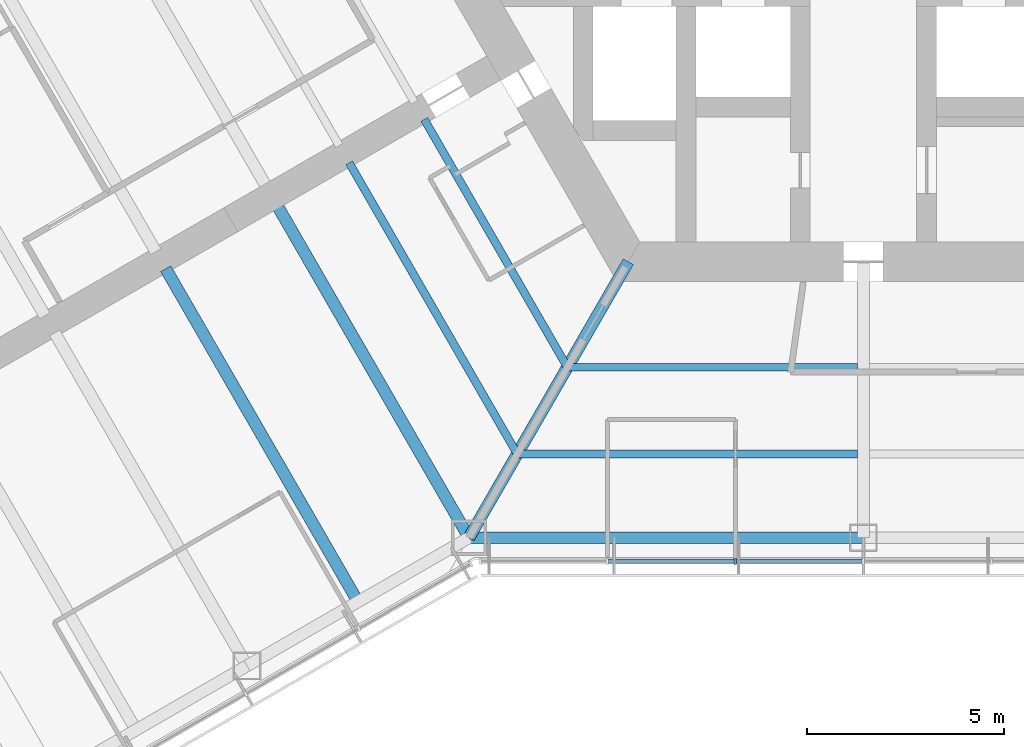
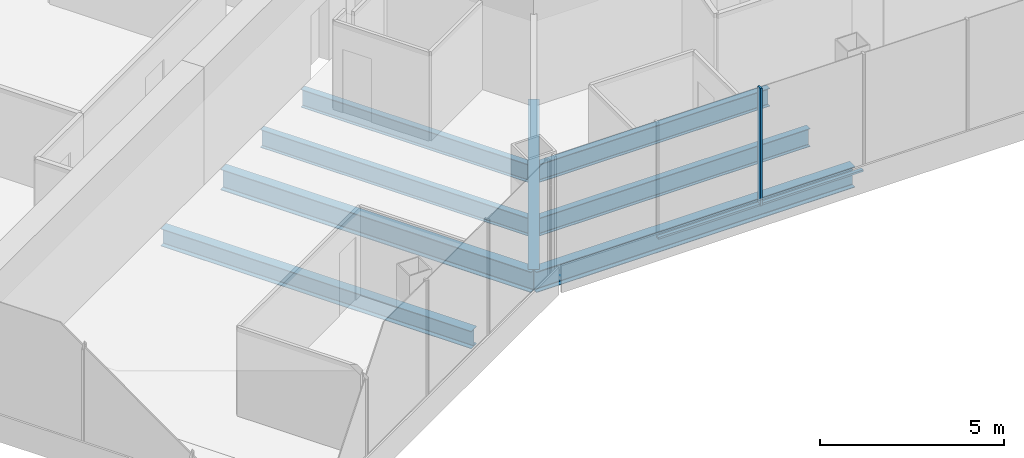
# One storey, part 3 of 18: 8 beams, 3 members, 1 element without a shape of its own.
"""IFC4 building model written with IfcOpenShell, lengths in metres."""

import ifcopenshell
import ifcopenshell.guid

model = None  # the IFC model being written
_history = None  # IfcOwnerHistory: only IFC2X3 demands one
_inside = {}  # id of a spatial element -> (the spatial element, [elements in it])
_under = {}  # id of a project, library or spatial element -> (it, [spatial elements below it])
_declared = {}  # id of a project -> (the project, [libraries it declares])
_typed = {}  # id of a type object -> (the type object, [elements of that type])
_made_of = {}  # id of a material, layer set ... -> (it, [elements and type objects made of it])


def new_model(schema):
    """Start an empty IFC model of exactly this schema.

    Asked for "IFC4X3", IfcOpenShell would pick the latest addendum, in which some entities
    have other attributes; the version numbers below select the first issue.
    IFC2X3 requires an IfcOwnerHistory on every rooted entity: one is made here for all.
    """
    global model, _history
    if schema == "IFC4X3":
        model = ifcopenshell.file(schema_version=(4, 3, 0, 0))
    else:
        model = ifcopenshell.file(schema=schema)
    _inside.clear()
    _under.clear()
    _declared.clear()
    _typed.clear()
    _made_of.clear()
    _history = None
    if model.schema == "IFC2X3":
        org = make("IfcOrganization", Name="unknown")
        user = make(
            "IfcPersonAndOrganization",
            ThePerson=make("IfcPerson", FamilyName="unknown"),
            TheOrganization=org,
        )
        app = make(
            "IfcApplication",
            ApplicationDeveloper=org,
            Version="unknown",
            ApplicationFullName="unknown",
            ApplicationIdentifier="unknown",
        )
        _history = make(
            "IfcOwnerHistory",
            OwningUser=user,
            OwningApplication=app,
            ChangeAction="ADDED",
            CreationDate=0,
        )
    return model


def make(cls, **values):
    """One entity of the class cls with the attributes given. An attribute that is None is left unset."""
    return model.create_entity(
        cls, **{name: value for name, value in values.items() if value is not None}
    )


def rooted(cls, **values):
    """An entity with a GlobalId (a new one), such as an element, a storey or a relation."""
    return make(cls, GlobalId=ifcopenshell.guid.new(), OwnerHistory=_history, **values)


def si_unit(unit_type, name, prefix=None):
    """IfcSIUnit, for example si_unit("LENGTHUNIT", "METRE", prefix="MILLI")."""
    return make("IfcSIUnit", UnitType=unit_type, Prefix=prefix, Name=name)


def assignment(units):
    """IfcUnitAssignment: the units of a project."""
    return None if units is None else make("IfcUnitAssignment", Units=units)


def point(xyz):
    """IfcCartesianPoint."""
    return None if xyz is None else make("IfcCartesianPoint", Coordinates=xyz)


def direction(xyz):
    """IfcDirection."""
    return None if xyz is None else make("IfcDirection", DirectionRatios=xyz)


def frame(location, z_axis=None, x_axis=None):
    """IfcAxis2Placement3D, a coordinate frame: its origin and axes. An axis left out is left unset."""
    return make(
        "IfcAxis2Placement3D",
        Location=point(location),
        Axis=direction(z_axis),
        RefDirection=direction(x_axis),
    )


def frame_2d(location, x_axis=None):
    """IfcAxis2Placement2D, a coordinate frame in the plane: its origin and x axis."""
    return make(
        "IfcAxis2Placement2D", Location=point(location), RefDirection=direction(x_axis)
    )


def origin():
    """The frame at (0, 0, 0) with its axes left unset."""
    return frame((0.0, 0.0, 0.0))


def origin_2d():
    """The frame at (0, 0) in the plane with its x axis left unset."""
    return frame_2d((0.0, 0.0))


def place(relative_to, where):
    """IfcLocalPlacement: puts the frame where relative to a parent placement (None: the world)."""
    return make(
        "IfcLocalPlacement", PlacementRelTo=relative_to, RelativePlacement=where
    )


def context(
    kind, dimensions, precision=None, world=None, true_north=None, identifier=None
):
    """IfcGeometricRepresentationContext, for example the 3D "Model" context."""
    return make(
        "IfcGeometricRepresentationContext",
        ContextIdentifier=identifier,
        ContextType=kind,
        CoordinateSpaceDimension=dimensions,
        Precision=precision,
        WorldCoordinateSystem=world,
        TrueNorth=true_north,
    )


def subcontext(parent, identifier, kind, view, scale=None):
    """IfcGeometricRepresentationSubContext, for example "Body" below "Model"."""
    return make(
        "IfcGeometricRepresentationSubContext",
        ContextIdentifier=identifier,
        ContextType=kind,
        ParentContext=parent,
        TargetScale=scale,
        TargetView=view,
    )


def project(units=None, contexts=None):
    """IfcProject with its units and contexts."""
    return rooted(
        "IfcProject",
        Name="project",
        RepresentationContexts=contexts,
        UnitsInContext=assignment(units),
    )


def spatial(cls, under=None, at=None, **own):
    """A site, building, storey or space (cls), placed at a placement, below another one or the project."""
    s = rooted(cls, ObjectPlacement=at, **own)
    if under is not None:
        _under.setdefault(under.id(), (under, []))[1].append(s)
    return s


def profile(cls, at=None, kind="AREA", **sizes):
    """A parametric profile (cls). Its sizes go by their IFC names, for example OverallWidth=200.0."""
    return make(cls, ProfileType=kind, Position=at, **sizes)


def rectangle(**sizes):
    """IfcRectangleProfileDef."""
    return profile("IfcRectangleProfileDef", **sizes)


def i_section(**sizes):
    """IfcIShapeProfileDef."""
    return profile("IfcIShapeProfileDef", **sizes)


def extrude(swept, where, along, depth):
    """IfcExtrudedAreaSolid: the profile swept, set in the frame where, extruded along a direction by depth."""
    return make(
        "IfcExtrudedAreaSolid",
        SweptArea=swept,
        Position=where,
        ExtrudedDirection=direction(along),
        Depth=depth,
    )


def shape(context_of_items, identifier, shape_type, items):
    """IfcShapeRepresentation: the items that make up one representation, for example the "Body"."""
    return make(
        "IfcShapeRepresentation",
        ContextOfItems=context_of_items,
        RepresentationIdentifier=identifier,
        RepresentationType=shape_type,
        Items=items,
    )


def material(Name=None, Category=None):
    """IfcMaterial."""
    return make("IfcMaterial", Name=Name, Category=Category)


def material_profile(
    of_material, cross_section, Name=None, Category=None, Priority=None
):
    """IfcMaterialProfile: a cross section and its material."""
    return make(
        "IfcMaterialProfile",
        Name=Name,
        Material=of_material,
        Profile=cross_section,
        Priority=Priority,
        Category=Category,
    )


def profile_set(profiles, Name=None, composite=None):
    """IfcMaterialProfileSet."""
    return make(
        "IfcMaterialProfileSet",
        Name=Name,
        MaterialProfiles=profiles,
        CompositeProfile=composite,
    )


def made_of(thing, what):
    """Note that an element or type object is made of a material, layer set ...; save() writes the relation."""
    if what is not None:
        _made_of.setdefault(what.id(), (what, []))[1].append(thing)
    return thing


def type_object(cls, material=None, **own):
    """A type object (cls), such as IfcWallType, which elements share."""
    return made_of(rooted(cls, **own), material)


def element(
    cls,
    number,
    at=None,
    inside=None,
    cuts=None,
    type_object=None,
    material=None,
    context=None,
    identifier="Body",
    shape_type=None,
    held_by="IfcProductDefinitionShape",
    body=None,
    shapes=None,
    **own,
):
    """One element of the class cls, such as IfcWall. Its Tag is "e" and its number.

    at: its placement. inside: the storey or other place that contains it. cuts: it is an
    opening in that element (IfcRelVoidsElement). A single representation is given by context,
    identifier, shape_type and body (its items); several are given by shapes. held_by: the class
    of the entity that holds the representations. save() writes the other relations.
    """
    e = rooted(cls, Tag="e%d" % number, ObjectPlacement=at, **own)
    if body is not None:
        shapes = [shape(context, identifier, shape_type, body)]
    if shapes is not None:
        e.Representation = make(held_by, Representations=shapes)
    if inside is not None:
        _inside.setdefault(inside.id(), (inside, []))[1].append(e)
    if cuts is not None:
        rooted(
            "IfcRelVoidsElement", RelatingBuildingElement=cuts, RelatedOpeningElement=e
        )
    if type_object is not None:
        _typed.setdefault(type_object.id(), (type_object, []))[1].append(e)
    return made_of(e, material)


def aggregate(whole, parts):
    """IfcRelAggregates: a whole, such as a stair, and the parts it consists of."""
    return rooted("IfcRelAggregates", RelatingObject=whole, RelatedObjects=parts)


def save(model, path):
    """Write the relations noted so far, then the file.

    IfcRelAggregates (storeys below a building ...), IfcRelContainedInSpatialStructure (elements
    in a storey), IfcRelDefinesByType, IfcRelAssociatesMaterial and IfcRelDeclares: one each for
    every whole, place, type object, material and project.
    """
    for whole, parts in _under.values():
        aggregate(whole, parts)
    for where, things in _inside.values():
        rooted(
            "IfcRelContainedInSpatialStructure",
            RelatedElements=things,
            RelatingStructure=where,
        )
    for kind, things in _typed.values():
        rooted("IfcRelDefinesByType", RelatedObjects=things, RelatingType=kind)
    for what, things in _made_of.values():
        rooted("IfcRelAssociatesMaterial", RelatedObjects=things, RelatingMaterial=what)
    for by, libraries in _declared.values():
        rooted("IfcRelDeclares", RelatingContext=by, RelatedDefinitions=libraries)
    model.write(path)


model = new_model("IFC4")

# Units and contexts
model_context = context("Model", 3, precision=1e-05, world=origin(), true_north=direction((0.0, 1.0)))
body_context = subcontext(model_context, "Body", "Model", "MODEL_VIEW")
ifc_project = project(units=[si_unit("LENGTHUNIT", "METRE"), si_unit("AREAUNIT", "SQUARE_METRE"), si_unit("VOLUMEUNIT", "CUBIC_METRE"), si_unit("PLANEANGLEUNIT", "RADIAN"), si_unit("MASSUNIT", "GRAM", prefix="KILO")], contexts=[model_context])

# Site, building, storey
site_placement = place(None, origin())
site = spatial("IfcSite", under=ifc_project, at=site_placement, CompositionType="ELEMENT")
building_placement = place(site_placement, origin())
building = spatial("IfcBuilding", under=site, at=building_placement, Name="Kasaneha Research Tower", CompositionType="ELEMENT")
storey_placement = place(building_placement, frame((0.0, 0.0, 133.10009765625)))
storey = spatial("IfcBuildingStorey", under=building, at=storey_placement, Name="L33", CompositionType="ELEMENT", Elevation=133.10009765625)

# Beams
ifc_material_1 = material(Name="Steel SN490B", Category="steel")
ifc_material_profile_1 = material_profile(ifc_material_1, i_section(OverallWidth=0.199951171875, OverallDepth=0.60009765625, WebThickness=0.010986328125, FlangeThickness=0.01708984375, FilletRadius=0.012939453125, at=origin_2d()), Name="H-600x200x11x17")
ifc_profile_set_1 = profile_set([ifc_material_profile_1], Name="Steel SN490B")
beam_type_1 = type_object("IfcBeamType", Name="B1-3 secondary beam H-600x200x11x17", PredefinedType="JOIST", material=ifc_profile_set_1)
beam_1_placement = place(storey_placement, frame((-7.505615234375, -13.0, -0.4501953125), z_axis=(-0.499993340521, 0.866029248602, 0.0), x_axis=(-0.866029248602, -0.499993340521, 0.0)))
element("IfcBeam", 1, at=beam_1_placement, inside=storey, type_object=beam_type_1, Name="Secondary beam RS210R1 L33", PredefinedType="JOIST", context=body_context, shape_type="SweptSolid", body=[
    extrude(i_section(OverallWidth=0.199951171875, OverallDepth=0.60009765625, WebThickness=0.010986328125, FlangeThickness=0.01708984375, FilletRadius=0.012939453125, at=origin_2d()), origin(), (0.0, 0.0, 1.0), 7.25537109375),
])
beam_2_placement = place(storey_placement, frame((-8.775634765625, -15.199951171875, -0.4501953125), z_axis=(-0.500004205306, 0.866022975836, 0.0), x_axis=(-0.866022975836, -0.500004205306, 0.0)))
element("IfcBeam", 2, at=beam_2_placement, inside=storey, type_object=beam_type_1, Name="Secondary beam RS210R2 L33", PredefinedType="JOIST", context=body_context, shape_type="SweptSolid", body=[
    extrude(i_section(OverallWidth=0.199951171875, OverallDepth=0.60009765625, WebThickness=0.010986328125, FlangeThickness=0.01708984375, FilletRadius=0.012939453125, at=origin_2d()), origin(), (0.0, 0.0, 1.0), 8.52587890625),
])
beam_3_placement = place(storey_placement, frame((-7.505615234375, -13.0, -0.4501953125), z_axis=(1.0, 0.0, 0.0), x_axis=(0.0, 1.0, 0.0)))
element("IfcBeam", 3, at=beam_3_placement, inside=storey, type_object=beam_type_1, Name="Secondary beam RS270L1 L33", PredefinedType="JOIST", context=body_context, shape_type="SweptSolid", body=[
    extrude(i_section(OverallWidth=0.199951171875, OverallDepth=0.60009765625, WebThickness=0.010986328125, FlangeThickness=0.01708984375, FilletRadius=0.012939453125, at=origin_2d()), origin(), (0.0, 0.0, 1.0), 7.355712890625),
])
beam_4_placement = place(storey_placement, frame((-8.775634765625, -15.199951171875, -0.4501953125), z_axis=(1.0, 0.0, 0.0), x_axis=(0.0, 1.0, 0.0)))
element("IfcBeam", 4, at=beam_4_placement, inside=storey, type_object=beam_type_1, Name="Secondary beam RS270L2 L33", PredefinedType="JOIST", context=body_context, shape_type="SweptSolid", body=[
    extrude(i_section(OverallWidth=0.199951171875, OverallDepth=0.60009765625, WebThickness=0.010986328125, FlangeThickness=0.01708984375, FilletRadius=0.012939453125, at=origin_2d()), origin(), (0.0, 0.0, 1.0), 8.625732421875),
])
ifc_material_2 = material(Name="Steel SN490B", Category="steel")
ifc_material_profile_2 = material_profile(ifc_material_2, i_section(OverallWidth=0.300048828125, OverallDepth=0.58203125, WebThickness=0.011962890625, FlangeThickness=0.01708984375, FilletRadius=0.012939453125, at=origin_2d()), Name="H-582x300x12x17")
ifc_profile_set_2 = profile_set([ifc_material_profile_2], Name="Steel SN490B")
beam_type_2 = type_object("IfcBeamType", Name="B2-3 secondary beam H-582x300x12x17", PredefinedType="JOIST", material=ifc_profile_set_2)
beam_5_placement = place(storey_placement, frame((-12.814697265625, -18.945556640625, -0.441162109375), z_axis=(-0.499995560238, 0.866027967067, 0.0), x_axis=(-0.866027967067, -0.499995560238, 0.0)))
element("IfcBeam", 5, at=beam_5_placement, inside=storey, type_object=beam_type_2, Name="Secondary beam WBBN1 L33", PredefinedType="JOIST", context=body_context, shape_type="SweptSolid", body=[
    extrude(i_section(OverallWidth=0.300048828125, OverallDepth=0.58203125, WebThickness=0.011962890625, FlangeThickness=0.01708984375, FilletRadius=0.012939453125, at=origin_2d()), origin(), (0.0, 0.0, 1.0), 9.75),
])

# Curtain wall, members
ifc_material_3 = material(Name="Glass and aluminium", Category="aluminium")
curtain_wall_type = type_object("IfcCurtainWallType", Name="Mid-rise office curtain wall", PredefinedType="USERDEFINED", material=ifc_material_3)
curtain_wall_placement = place(storey_placement, origin())
curtain_wall = element("IfcCurtainWall", 6, at=curtain_wall_placement, inside=storey, type_object=curtain_wall_type, Name="CW-O2 L33 run 01a", ObjectType="UNITISED CURTAIN WALL", PredefinedType="USERDEFINED")
ifc_material_4 = material(Name="Aluminium 6063-T6", Category="aluminium")
ifc_material_profile_3 = material_profile(ifc_material_4, rectangle(XDim=0.06005859375, YDim=0.14990234375, at=origin_2d()), Name="CW-O2 mullion 60x150")
ifc_profile_set_3 = profile_set([ifc_material_profile_3], Name="Aluminium 6063-T6")
member_type_1 = type_object("IfcMemberType", Name="CW-O2 mullion", PredefinedType="MULLION", material=ifc_profile_set_3)
member_1_placement = place(storey_placement, frame((-3.246337890625, -17.92041015625, 0.0), z_axis=(0.0, 0.0, 1.0), x_axis=(1.0, 0.0, 0.0)))
member_1 = element("IfcMember", 7, at=member_1_placement, type_object=member_type_1, Name="CW-O2 mullion 3", PredefinedType="MULLION", context=body_context, shape_type="SweptSolid", body=[
    extrude(rectangle(XDim=0.06005859375, YDim=0.14990234375, at=origin_2d()), origin(), (0.0, 0.0, 1.0), 3.89990234375),
])
ifc_material_5 = material(Name="Aluminium 6063-T6", Category="aluminium")
ifc_material_profile_4 = material_profile(ifc_material_5, rectangle(XDim=0.110107421875, YDim=0.06005859375, at=origin_2d()), Name="CW-O2 transom 110x60")
ifc_profile_set_4 = profile_set([ifc_material_profile_4], Name="Aluminium 6063-T6")
member_type_2 = type_object("IfcMemberType", Name="CW-O2 transom", PredefinedType="USERDEFINED", material=ifc_profile_set_4)
member_2_placement = place(storey_placement, frame((-6.462890625, -17.92041015625, 0.02978515625), z_axis=(1.0, 0.0, 0.0), x_axis=(0.0, 1.0, 0.0)))
member_2 = element("IfcMember", 8, at=member_2_placement, type_object=member_type_2, Name="CW-O2 transom 2", ObjectType="TRANSOM", PredefinedType="USERDEFINED", context=body_context, shape_type="SweptSolid", body=[
    extrude(rectangle(XDim=0.110107421875, YDim=0.06005859375, at=origin_2d()), origin(), (0.0, 0.0, 1.0), 3.1865234375),
])
member_3_placement = place(storey_placement, frame((-3.21630859375, -17.92041015625, 0.02978515625), z_axis=(1.0, 0.0, 0.0), x_axis=(0.0, 1.0, 0.0)))
member_3 = element("IfcMember", 9, at=member_3_placement, type_object=member_type_2, Name="CW-O2 transom 3", ObjectType="TRANSOM", PredefinedType="USERDEFINED", context=body_context, shape_type="SweptSolid", body=[
    extrude(rectangle(XDim=0.110107421875, YDim=0.06005859375, at=origin_2d()), origin(), (0.0, 0.0, 1.0), 3.186279296875),
])
aggregate(curtain_wall, [member_1, member_2, member_3])

# Beams
ifc_material_6 = material(Name="Steel SN490B", Category="steel")
ifc_material_profile_5 = material_profile(ifc_material_6, i_section(OverallWidth=0.300048828125, OverallDepth=0.699951171875, WebThickness=0.012939453125, FlangeThickness=0.02392578125, FilletRadius=0.01806640625, at=origin_2d()), Name="H-700x300x13x24")
ifc_profile_set_5 = profile_set([ifc_material_profile_5], Name="Steel SN490B")
beam_type_3 = type_object("IfcBeamType", Name="G1-3 radial girder H-700x300x13x24", PredefinedType="BEAM", material=ifc_profile_set_5)
beam_6_placement = place(storey_placement, frame((-5.961181640625, -10.324951171875, -0.5), z_axis=(-0.49999105496, -0.866030568144, 0.0), x_axis=(0.866030568144, -0.49999105496, 0.0)))
element("IfcBeam", 10, at=beam_6_placement, inside=storey, type_object=beam_type_3, Name="Radial girder RV240 L33", PredefinedType="BEAM", context=body_context, shape_type="SweptSolid", body=[
    extrude(i_section(OverallWidth=0.300048828125, OverallDepth=0.699951171875, WebThickness=0.012939453125, FlangeThickness=0.02392578125, FilletRadius=0.01806640625, at=origin_2d()), origin(), (0.0, 0.0, 1.0), 8.077880859375),
])
ifc_material_7 = material(Name="Steel SN490B", Category="steel")
ifc_material_profile_6 = material_profile(ifc_material_7, i_section(OverallWidth=0.300048828125, OverallDepth=0.69189453125, WebThickness=0.012939453125, FlangeThickness=0.02001953125, FilletRadius=0.01806640625, at=origin_2d()), Name="H-692x300x13x20")
ifc_profile_set_6 = profile_set([ifc_material_profile_6], Name="Steel SN490B")
beam_type_4 = type_object("IfcBeamType", Name="G3-3 plate edge girder H-692x300x13x20", PredefinedType="BEAM", material=ifc_profile_set_6)
beam_7_placement = place(storey_placement, frame((-10.0, -17.320556640625, -0.49609375), z_axis=(-0.499995560238, 0.866027967067, 0.0), x_axis=(-0.866027967067, -0.499995560238, 0.0)))
element("IfcBeam", 11, at=beam_7_placement, inside=storey, type_object=beam_type_4, Name="Plate edge girder PEBN L33", PredefinedType="BEAM", context=body_context, shape_type="SweptSolid", body=[
    extrude(i_section(OverallWidth=0.300048828125, OverallDepth=0.69189453125, WebThickness=0.012939453125, FlangeThickness=0.02001953125, FilletRadius=0.01806640625, at=origin_2d()), origin(), (0.0, 0.0, 1.0), 9.75),
])
ifc_material_8 = material(Name="Steel SN490B", Category="steel")
ifc_material_profile_7 = material_profile(ifc_material_8, i_section(OverallWidth=0.300048828125, OverallDepth=0.69189453125, WebThickness=0.012939453125, FlangeThickness=0.02001953125, FilletRadius=0.01806640625, at=origin_2d()), Name="H-692x300x13x20")
ifc_profile_set_7 = profile_set([ifc_material_profile_7], Name="Steel SN490B")
beam_type_5 = type_object("IfcBeamType", Name="SB1-3 spandrel beam H-692x300x13x20", PredefinedType="SPANDREL", material=ifc_profile_set_7)
beam_8_placement = place(storey_placement, frame((-10.0, -17.320556640625, -0.49609375), z_axis=(1.0, 0.0, 0.0), x_axis=(0.0, 1.0, 0.0)))
element("IfcBeam", 12, at=beam_8_placement, inside=storey, type_object=beam_type_5, Name="Spandrel beam SR270L L33", PredefinedType="SPANDREL", context=body_context, shape_type="SweptSolid", body=[
    extrude(i_section(OverallWidth=0.300048828125, OverallDepth=0.69189453125, WebThickness=0.012939453125, FlangeThickness=0.02001953125, FilletRadius=0.01806640625, at=origin_2d()), origin(), (0.0, 0.0, 1.0), 10.0),
])

save(model, "model.ifc")
